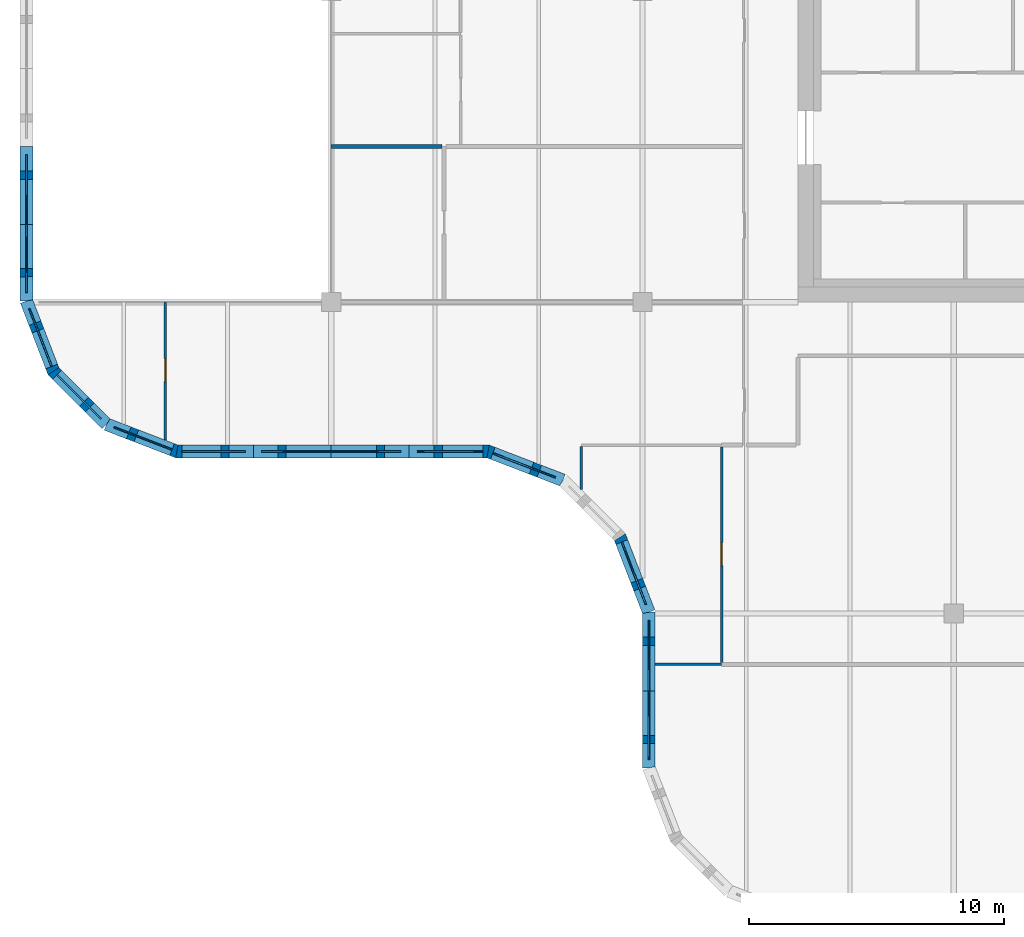
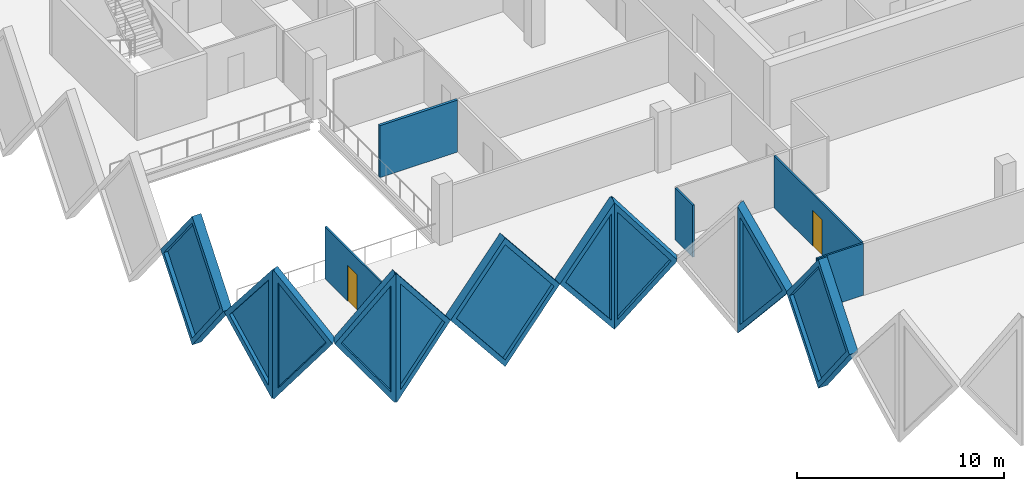
# One storey, part 3 of 11: 15 walls, 10 plates, 2 doors, 12 openings.
"""IFC4 building model written with IfcOpenShell, lengths in metres."""

from ifc_helpers import new_model, si_unit, direction, frame, frame_2d, origin, place, context, subcontext, project, spatial, polyline, rectangle, outline, extrude, faceted_brep, source, transform, mapped, material, layer, layer_set, type_object, element, fill, save


model = new_model("IFC4")

# Units and contexts
model_context = context("Model", 3, precision=1e-05, world=origin(), true_north=direction((0.0, 1.0)))
body_context = subcontext(model_context, "Body", "Model", "MODEL_VIEW")
ifc_project = project(units=[si_unit("LENGTHUNIT", "METRE"), si_unit("AREAUNIT", "SQUARE_METRE"), si_unit("VOLUMEUNIT", "CUBIC_METRE"), si_unit("PLANEANGLEUNIT", "RADIAN"), si_unit("MASSUNIT", "GRAM", prefix="KILO")], contexts=[model_context])

# Site, building, storey
site_placement = place(None, origin())
site = spatial("IfcSite", under=ifc_project, at=site_placement, CompositionType="ELEMENT")
building_placement = place(site_placement, origin())
building = spatial("IfcBuilding", under=site, at=building_placement, Name="Tessera Gate Towers", CompositionType="ELEMENT")
storey_placement = place(building_placement, frame((0.0, 0.0, 170.60009765625)))
storey = spatial("IfcBuildingStorey", under=building, at=storey_placement, Name="L42", CompositionType="ELEMENT", Elevation=170.60009765625)

# Wall
ifc_material_1 = material(Name="Glass", Category="glass")
ifc_layer_1 = layer(ifc_material_1, 0.10009765625)
ifc_layer_set_1 = layer_set([ifc_layer_1], Name="GLAZED PARTITION 100")
wall_type_1 = type_object("IfcWallType", Name="GLAZED PARTITION 100", PredefinedType="PARTITIONING", material=ifc_layer_set_1)
wall_1_placement = place(storey_placement, frame((24.89990234375, 10.199951171875, 0.0), z_axis=(0.0, 0.0, 1.0), x_axis=(1.0, 0.0, 0.0)))
element("IfcWall", 1, at=wall_1_placement, inside=storey, type_object=wall_type_1, Name="T1-L42-PW-006", PredefinedType="PARTITIONING", context=body_context, shape_type="SweptSolid", body=[
    extrude(rectangle(XDim=2.59912109375, YDim=0.10009765625, at=frame_2d((1.299560546875, 0.0))), origin(), (0.0, 0.0, 1.0), 3.06689453125),
])

# Wall, opening, door
wall_2_placement = place(storey_placement, frame((27.5, 10.27587890625, 0.0), z_axis=(0.0, 0.0, 1.0), x_axis=(0.0, 1.0, 0.0)))
wall_2 = element("IfcWall", 2, at=wall_2_placement, inside=storey, type_object=wall_type_1, Name="T1-L42-PW-008", PredefinedType="PARTITIONING", context=body_context, shape_type="SweptSolid", body=[
    extrude(rectangle(XDim=8.4482421875, YDim=0.10009765625, at=frame_2d((4.22412109375, 0.0))), origin(), (0.0, 0.0, 1.0), 3.06689453125),
])
shared_shape_1 = source(origin(), body_context, "Body", "SweptSolid", [
    extrude(rectangle(XDim=0.89990234375, YDim=2.10009765625, at=frame_2d((0.449951171875, 1.050048828125))), frame((0.0, 0.06005859375, 0.0), z_axis=(0.0, -1.0, 0.0), x_axis=(1.0, 0.0, 0.0)), (0.0, 0.0, 1.0), 0.1201171875),
])
opening_1_placement = place(wall_2_placement, frame((3.800048828125, 0.0, 0.0)))
opening_1 = element("IfcOpeningElement", 3, at=opening_1_placement, cuts=wall_2, Name="Opening D690-A15-02", PredefinedType="OPENING", context=body_context, shape_type="MappedRepresentation", body=[
    mapped(shared_shape_1, transform((0.0, 0.0, 0.0), scale=1.0)),
])
ifc_material_2 = material(Name="Glass in aluminium frame", Category="aluminium")
door_type = type_object("IfcDoorType", Name="GLAZED DOOR 900 NOT RATED", OperationType="NOTDEFINED", PredefinedType="DOOR", material=ifc_material_2)
shared_shape_2 = source(origin(), body_context, "Body", "SweptSolid", [
    extrude(rectangle(XDim=0.89990234375, YDim=2.10009765625, at=frame_2d((0.449951171875, 1.050048828125))), frame((0.0, 0.02490234375, 0.0), z_axis=(0.0, -1.0, 0.0), x_axis=(1.0, 0.0, 0.0)), (0.0, 0.0, 1.0), 0.050048828125),
])
door_1_placement = place(opening_1_placement, origin())
door_1 = element("IfcDoor", 4, at=door_1_placement, inside=storey, type_object=door_type, Name="T1-L42-PD-023", OperationType="SINGLE_SWING_LEFT", OverallHeight=2.10009765625, OverallWidth=0.89990234375, PredefinedType="DOOR", context=body_context, shape_type="MappedRepresentation", body=[
    mapped(shared_shape_2, transform((0.0, 0.0, 0.0), scale=1.0)),
])
fill(opening_1, door_1)

# Wall
wall_3_placement = place(storey_placement, frame((22.0, 17.054931640625, 0.0), z_axis=(0.0, 0.0, 1.0), x_axis=(0.0, 1.0, 0.0)))
element("IfcWall", 5, at=wall_3_placement, inside=storey, type_object=wall_type_1, Name="T1-L42-PW-012", PredefinedType="PARTITIONING", context=body_context, shape_type="SweptSolid", body=[
    extrude(rectangle(XDim=1.694091796875, YDim=0.10009765625, at=frame_2d((0.84716796875, 0.0))), origin(), (0.0, 0.0, 1.0), 3.06689453125),
])

# Wall, opening, door
wall_4_placement = place(storey_placement, frame((5.699951171875, 18.990234375, 0.0), z_axis=(0.0, 0.0, 1.0), x_axis=(0.0, 1.0, 0.0)))
wall_4 = element("IfcWall", 6, at=wall_4_placement, inside=storey, type_object=wall_type_1, Name="T1-L42-PW-020", PredefinedType="PARTITIONING", context=body_context, shape_type="SweptSolid", body=[
    extrude(rectangle(XDim=5.40966796875, YDim=0.10009765625, at=frame_2d((2.704833984375, 0.0))), origin(), (0.0, 0.0, 1.0), 3.06689453125),
])
opening_2_placement = place(wall_4_placement, frame((2.300048828125, 0.0, 0.0)))
opening_2 = element("IfcOpeningElement", 7, at=opening_2_placement, cuts=wall_4, Name="Opening D690-A15-01", PredefinedType="OPENING", context=body_context, shape_type="MappedRepresentation", body=[
    mapped(shared_shape_1, transform((0.0, 0.0, 0.0), scale=1.0)),
])
door_2_placement = place(opening_2_placement, origin())
door_2 = element("IfcDoor", 8, at=door_2_placement, inside=storey, type_object=door_type, Name="T1-L42-PD-012", OperationType="SINGLE_SWING_LEFT", OverallHeight=2.10009765625, OverallWidth=0.89990234375, PredefinedType="DOOR", context=body_context, shape_type="MappedRepresentation", body=[
    mapped(shared_shape_2, transform((0.0, 0.0, 0.0), scale=1.0)),
])
fill(opening_2, door_2)

# Wall
ifc_material_3 = material(Name="Gypsum board on steel studs, mineral wool", Category="steel")
ifc_layer_2 = layer(ifc_material_3, 0.14990234375)
ifc_layer_set_2 = layer_set([ifc_layer_2], Name="TENANCY WALL 150")
wall_type_2 = type_object("IfcWallType", Name="TENANCY WALL 150", PredefinedType="PARTITIONING", material=ifc_layer_set_2)
wall_5_placement = place(storey_placement, frame((12.199951171875, 30.5, 0.0), z_axis=(0.0, 0.0, 1.0), x_axis=(1.0, 0.0, 0.0)))
element("IfcWall", 9, at=wall_5_placement, inside=storey, type_object=wall_type_2, Name="T1-L42-PW-028", PredefinedType="PARTITIONING", context=body_context, shape_type="SweptSolid", body=[
    extrude(rectangle(XDim=4.34912109375, YDim=0.14990234375, at=frame_2d((2.174560546875, 0.0))), origin(), (0.0, 0.0, 1.0), 3.06689453125),
])

# Wall, opening, plate
ifc_material_4 = material(Name="Precast concrete C60/75 white", Category="concrete")
ifc_layer_3 = layer(ifc_material_4, 0.5)
ifc_layer_set_3 = layer_set([ifc_layer_3], Name="TS1 tessera")
wall_type_3 = type_object("IfcWallType", Name="TS1 tessera", PredefinedType="SOLIDWALL", material=ifc_layer_set_3)
shared_shape_3 = source(origin(), body_context, "Body", "SweptSolid", [
    extrude(outline(polyline([(3.050048828125, 0.0), (6.10009765625, 3.800048828125), (3.050048828125, 7.599853515625), (0.0, 3.800048828125), (3.050048828125, 0.0)])), frame((0.0, 0.25, 0.0), z_axis=(0.0, -1.0, 0.0), x_axis=(1.0, 0.0, 0.0)), (0.0, 0.0, 1.0), 0.5),
])
wall_6_placement = place(storey_placement, frame((9.14990234375, 18.550048828125, -3.800048828125), z_axis=(0.0, 0.0, 1.0), x_axis=(1.0, 0.0, 0.0)))
wall_6 = element("IfcWall", 10, at=wall_6_placement, inside=storey, type_object=wall_type_3, Name="Precast tessera T1 TS1-0734", PredefinedType="SOLIDWALL", context=body_context, shape_type="MappedRepresentation", body=[
    mapped(shared_shape_3, transform((0.0, 0.0, 0.0), scale=1.0)),
])
shared_shape_4 = source(origin(), body_context, "Body", "SweptSolid", [
    extrude(outline(polyline([(3.050048828125, 0.3994140625), (5.779541015625, 3.800048828125), (3.050048828125, 7.200439453125), (0.320556640625, 3.800048828125), (3.050048828125, 0.3994140625)])), frame((0.0, 0.260009765625, 0.0), z_axis=(0.0, -1.0, 0.0), x_axis=(1.0, 0.0, 0.0)), (0.0, 0.0, 1.0), 0.52001953125),
])
opening_3_placement = place(wall_6_placement, origin())
opening_3 = element("IfcOpeningElement", 11, at=opening_3_placement, cuts=wall_6, Name="Opening T1-PL2-1496", PredefinedType="OPENING", context=body_context, shape_type="MappedRepresentation", body=[
    mapped(shared_shape_4, transform((0.0, 0.0, 0.0), scale=1.0)),
])
ifc_material_5 = material(Name="Low-e laminated glass", Category="glass")
ifc_layer_4 = layer(ifc_material_5, 0.06005859375)
ifc_layer_set_4 = layer_set([ifc_layer_4], Name="PL2 rhombic pane")
plate_type = type_object("IfcPlateType", Name="PL2 rhombic pane", PredefinedType="SHEET", material=ifc_layer_set_4)
shared_shape_5 = source(origin(), body_context, "Body", "SweptSolid", [
    extrude(outline(polyline([(3.050048828125, 0.3994140625), (5.779541015625, 3.800048828125), (3.050048828125, 7.200439453125), (0.320556640625, 3.800048828125), (3.050048828125, 0.3994140625)])), frame((0.0, 0.030029296875, 0.0), z_axis=(0.0, -1.0, 0.0), x_axis=(1.0, 0.0, 0.0)), (0.0, 0.0, 1.0), 0.06005859375),
])
plate_1_placement = place(opening_3_placement, origin())
plate_1 = element("IfcPlate", 12, at=plate_1_placement, inside=storey, type_object=plate_type, Name="Glass pane T1 PL2-1496", PredefinedType="SHEET", context=body_context, shape_type="MappedRepresentation", body=[
    mapped(shared_shape_5, transform((0.0, 0.0, 0.0), scale=1.0)),
])
fill(opening_3, plate_1)

shared_shape_6 = source(origin(), body_context, "Body", "Brep", [
    faceted_brep([(3.050048828125, -0.25, 0.0), (6.053466796875, -0.25, 3.800048828125), (3.050048828125, -0.25, 7.599853515625), (0.0, -0.25, 3.800048828125), (0.0, 0.25, 3.800048828125), (3.050048828125, 0.25, 7.599853515625), (6.0068359375, 0.25, 3.85888671875), (6.0068359375, 0.25, 3.7412109375), (3.050048828125, 0.25, 0.0), (6.053466796875, 0.0, 3.800048828125)], [[[0, 1, 2, 3]], [[4, 5, 6, 7, 8]], [[8, 7, 9, 1, 0]], [[6, 5, 2, 1, 9]], [[5, 4, 3, 2]], [[4, 8, 0, 3]], [[7, 6, 9]]]),
])
wall_7_placement = place(storey_placement, frame((0.25, 30.5, -3.800048828125), z_axis=(0.0, 0.0, 1.0), x_axis=(0.0, -1.0, 0.0)))
wall_7 = element("IfcWall", 13, at=wall_7_placement, inside=storey, type_object=wall_type_3, Name="Precast tessera T1 TS1-0733", PredefinedType="SOLIDWALL", context=body_context, shape_type="MappedRepresentation", body=[
    mapped(shared_shape_6, transform((0.0, 0.0, 0.0), scale=1.0)),
])
shared_shape_7 = source(origin(), body_context, "Body", "SweptSolid", [
    extrude(outline(polyline([(3.048583984375, 0.401123046875), (5.73486328125, 3.800048828125), (3.048583984375, 7.19873046875), (0.320556640625, 3.800048828125), (3.048583984375, 0.401123046875)])), frame((0.0, 0.260009765625, 0.0), z_axis=(0.0, -1.0, 0.0), x_axis=(1.0, 0.0, 0.0)), (0.0, 0.0, 1.0), 0.52001953125),
])
opening_4_placement = place(wall_7_placement, origin())
opening_4 = element("IfcOpeningElement", 14, at=opening_4_placement, cuts=wall_7, Name="Opening T1-PL2-1491", PredefinedType="OPENING", context=body_context, shape_type="MappedRepresentation", body=[
    mapped(shared_shape_7, transform((0.0, 0.0, 0.0), scale=1.0)),
])
shared_shape_8 = source(origin(), body_context, "Body", "SweptSolid", [
    extrude(outline(polyline([(3.048583984375, 0.401123046875), (5.73486328125, 3.800048828125), (3.048583984375, 7.19873046875), (0.320556640625, 3.800048828125), (3.048583984375, 0.401123046875)])), frame((0.0, 0.030029296875, 0.0), z_axis=(0.0, -1.0, 0.0), x_axis=(1.0, 0.0, 0.0)), (0.0, 0.0, 1.0), 0.06005859375),
])
plate_2_placement = place(opening_4_placement, origin())
plate_2 = element("IfcPlate", 15, at=plate_2_placement, inside=storey, type_object=plate_type, Name="Glass pane T1 PL2-1491", PredefinedType="SHEET", context=body_context, shape_type="MappedRepresentation", body=[
    mapped(shared_shape_8, transform((0.0, 0.0, 0.0), scale=1.0)),
])
fill(opening_4, plate_2)

ifc_material_6 = material(Name="Precast concrete C60/75 white", Category="concrete")
ifc_layer_5 = layer(ifc_material_6, 0.5)
ifc_layer_set_5 = layer_set([ifc_layer_5], Name="TS3 corner tessera")
wall_type_4 = type_object("IfcWallType", Name="TS3 corner tessera", PredefinedType="SOLIDWALL", material=ifc_layer_set_5)
shared_shape_9 = source(origin(), body_context, "Body", "Brep", [
    faceted_brep([(0.052978515625, -0.25, 0.0), (2.9970703125, -0.25, 3.800048828125), (0.052978515625, -0.25, 7.599853515625), (0.0, -0.25, 7.53173828125), (0.0, -0.25, 0.068115234375), (0.10595703125, 0.25, 7.531494140625), (2.944091796875, 0.25, 3.8681640625), (2.944091796875, 0.25, 3.73193359375), (0.10595703125, 0.25, 0.068359375), (2.9970703125, 0.000244140625, 3.800048828125), (0.052978515625, 0.0, 0.0), (0.052978515625, 0.0, 7.599853515625)], [[[0, 1, 2, 3, 4]], [[5, 6, 7, 8]], [[8, 7, 9, 1, 0, 10]], [[6, 5, 11, 2, 1, 9]], [[3, 2, 11]], [[10, 0, 4]], [[8, 10, 4, 3, 11, 5]], [[7, 6, 9]]]),
])
wall_8_placement = place(storey_placement, frame((1.2744140625, 21.731201171875, -3.800048828125), z_axis=(0.0, 0.0, 1.0), x_axis=(0.707147509625, -0.707066050402, 0.0)))
wall_8 = element("IfcWall", 16, at=wall_8_placement, inside=storey, type_object=wall_type_4, Name="Precast corner tessera T1 TS3-0976", PredefinedType="SOLIDWALL", context=body_context, shape_type="MappedRepresentation", body=[
    mapped(shared_shape_9, transform((0.0, 0.0, 0.0), scale=1.0)),
])
shared_shape_10 = source(origin(), body_context, "Body", "SweptSolid", [
    extrude(outline(polyline([(0.2529296875, 0.666259765625), (2.680908203125, 3.800048828125), (0.2529296875, 6.93359375), (0.2529296875, 0.666259765625)])), frame((0.0, 0.260009765625, 0.0), z_axis=(0.0, -1.0, 0.0), x_axis=(1.0, 0.0, 0.0)), (0.0, 0.0, 1.0), 0.52001953125),
])
opening_5_placement = place(wall_8_placement, origin())
opening_5 = element("IfcOpeningElement", 17, at=opening_5_placement, cuts=wall_8, Name="Opening T1-PL2-1493", PredefinedType="OPENING", context=body_context, shape_type="MappedRepresentation", body=[
    mapped(shared_shape_10, transform((0.0, 0.0, 0.0), scale=1.0)),
])
shared_shape_11 = source(origin(), body_context, "Body", "SweptSolid", [
    extrude(outline(polyline([(0.2529296875, 0.666259765625), (2.680908203125, 3.800048828125), (0.2529296875, 6.93359375), (0.2529296875, 0.666259765625)])), frame((0.0, 0.030029296875, 0.0), z_axis=(0.0, -1.0, 0.0), x_axis=(1.0, 0.0, 0.0)), (0.0, 0.0, 1.0), 0.06005859375),
])
plate_3_placement = place(opening_5_placement, origin())
plate_3 = element("IfcPlate", 18, at=plate_3_placement, inside=storey, type_object=plate_type, Name="Glass pane T1 PL2-1493", PredefinedType="SHEET", context=body_context, shape_type="MappedRepresentation", body=[
    mapped(shared_shape_11, transform((0.0, 0.0, 0.0), scale=1.0)),
])
fill(opening_5, plate_3)

shared_shape_12 = source(origin(), body_context, "Body", "Brep", [
    faceted_brep([(2.950439453125, -0.25, 0.0), (2.9970703125, -0.25, 0.05908203125), (2.9970703125, -0.25, 7.540771484375), (2.950439453125, -0.25, 7.599853515625), (0.0, -0.25, 3.800048828125), (0.052978515625, 0.25, 3.8681640625), (2.904052734375, 0.25, 7.5400390625), (2.904052734375, 0.25, 0.059814453125), (0.052978515625, 0.25, 3.73193359375), (2.950439453125, 0.00048828125, 0.0), (2.950439453125, 0.00048828125, 7.599853515625), (0.0, 0.0, 3.800048828125)], [[[0, 1, 2, 3, 4]], [[5, 6, 7, 8]], [[1, 0, 9]], [[10, 3, 2]], [[6, 5, 11, 4, 3, 10]], [[8, 7, 9, 0, 4, 11]], [[8, 11, 5]], [[1, 9, 7, 6, 10, 2]]]),
])
wall_9_placement = place(storey_placement, frame((3.393798828125, 19.61181640625, -3.800048828125), z_axis=(0.0, 0.0, 1.0), x_axis=(0.932990326376, -0.359901446078, 0.0)))
wall_9 = element("IfcWall", 19, at=wall_9_placement, inside=storey, type_object=wall_type_4, Name="Precast corner tessera T1 TS3-0977", PredefinedType="SOLIDWALL", context=body_context, shape_type="MappedRepresentation", body=[
    mapped(shared_shape_12, transform((0.0, 0.0, 0.0), scale=1.0)),
])
shared_shape_13 = source(origin(), body_context, "Body", "SweptSolid", [
    extrude(outline(polyline([(2.75048828125, 6.934814453125), (0.31640625, 3.800048828125), (2.75048828125, 0.665283203125), (2.75048828125, 6.934814453125)])), frame((0.0, 0.260009765625, 0.0), z_axis=(0.0, -1.0, 0.0), x_axis=(1.0, 0.0, 0.0)), (0.0, 0.0, 1.0), 0.52001953125),
])
opening_6_placement = place(wall_9_placement, origin())
opening_6 = element("IfcOpeningElement", 20, at=opening_6_placement, cuts=wall_9, Name="Opening T1-PL2-1494", PredefinedType="OPENING", context=body_context, shape_type="MappedRepresentation", body=[
    mapped(shared_shape_13, transform((0.0, 0.0, 0.0), scale=1.0)),
])
shared_shape_14 = source(origin(), body_context, "Body", "SweptSolid", [
    extrude(outline(polyline([(2.75048828125, 6.934814453125), (0.31640625, 3.800048828125), (2.75048828125, 0.665283203125), (2.75048828125, 6.934814453125)])), frame((0.0, 0.030029296875, 0.0), z_axis=(0.0, -1.0, 0.0), x_axis=(1.0, 0.0, 0.0)), (0.0, 0.0, 1.0), 0.06005859375),
])
plate_4_placement = place(opening_6_placement, origin())
plate_4 = element("IfcPlate", 21, at=plate_4_placement, inside=storey, type_object=plate_type, Name="Glass pane T1 PL2-1494", PredefinedType="SHEET", context=body_context, shape_type="MappedRepresentation", body=[
    mapped(shared_shape_14, transform((0.0, 0.0, 0.0), scale=1.0)),
])
fill(opening_6, plate_4)

shared_shape_15 = source(origin(), body_context, "Body", "Brep", [
    faceted_brep([(0.046630859375, -0.25, 0.0), (3.050048828125, -0.25, 3.800048828125), (0.046630859375, -0.25, 7.599853515625), (0.0, -0.25, 7.539794921875), (0.0, -0.25, 0.06005859375), (0.09326171875, 0.25, 7.541015625), (3.050048828125, 0.25, 3.800048828125), (0.09326171875, 0.25, 0.058837890625), (0.046630859375, 0.0, 0.0), (0.046630859375, 0.0, 7.599853515625)], [[[0, 1, 2, 3, 4]], [[5, 6, 7]], [[7, 6, 1, 0, 8]], [[6, 5, 9, 2, 1]], [[3, 2, 9]], [[8, 0, 4]], [[7, 8, 4, 3, 9, 5]]]),
])
wall_10_placement = place(storey_placement, frame((6.099853515625, 18.550048828125, -3.800048828125), z_axis=(0.0, 0.0, 1.0), x_axis=(1.0, 0.0, 0.0)))
wall_10 = element("IfcWall", 22, at=wall_10_placement, inside=storey, type_object=wall_type_4, Name="Precast corner tessera T1 TS3-0978", PredefinedType="SOLIDWALL", context=body_context, shape_type="MappedRepresentation", body=[
    mapped(shared_shape_15, transform((0.0, 0.0, 0.0), scale=1.0)),
])
shared_shape_16 = source(origin(), body_context, "Body", "SweptSolid", [
    extrude(outline(polyline([(0.24658203125, 0.65625), (2.7314453125, 3.800048828125), (0.24658203125, 6.94384765625), (0.24658203125, 0.65625)])), frame((0.0, 0.260009765625, 0.0), z_axis=(0.0, -1.0, 0.0), x_axis=(1.0, 0.0, 0.0)), (0.0, 0.0, 1.0), 0.52001953125),
])
opening_7_placement = place(wall_10_placement, origin())
opening_7 = element("IfcOpeningElement", 23, at=opening_7_placement, cuts=wall_10, Name="Opening T1-PL2-1495", PredefinedType="OPENING", context=body_context, shape_type="MappedRepresentation", body=[
    mapped(shared_shape_16, transform((0.0, 0.0, 0.0), scale=1.0)),
])
shared_shape_17 = source(origin(), body_context, "Body", "SweptSolid", [
    extrude(outline(polyline([(0.24658203125, 0.65625), (2.7314453125, 3.800048828125), (0.24658203125, 6.94384765625), (0.24658203125, 0.65625)])), frame((0.0, 0.030029296875, 0.0), z_axis=(0.0, -1.0, 0.0), x_axis=(1.0, 0.0, 0.0)), (0.0, 0.0, 1.0), 0.06005859375),
])
plate_5_placement = place(opening_7_placement, origin())
plate_5 = element("IfcPlate", 24, at=plate_5_placement, inside=storey, type_object=plate_type, Name="Glass pane T1 PL2-1495", PredefinedType="SHEET", context=body_context, shape_type="MappedRepresentation", body=[
    mapped(shared_shape_17, transform((0.0, 0.0, 0.0), scale=1.0)),
])
fill(opening_7, plate_5)

shared_shape_18 = source(origin(), body_context, "Body", "Brep", [
    faceted_brep([(2.950439453125, -0.25, 0.0), (3.00341796875, -0.25, 0.068359375), (3.00341796875, -0.25, 7.531494140625), (2.950439453125, -0.25, 7.599853515625), (0.0, -0.25, 3.800048828125), (0.046630859375, 0.25, 3.860107421875), (2.897705078125, 0.25, 7.53173828125), (2.897705078125, 0.25, 0.068115234375), (0.046630859375, 0.25, 3.739990234375), (2.950439453125, 0.00048828125, 0.0), (2.950439453125, 0.00048828125, 7.599853515625), (0.0, 0.0, 3.800048828125)], [[[0, 1, 2, 3, 4]], [[5, 6, 7, 8]], [[1, 0, 9]], [[10, 3, 2]], [[6, 5, 11, 4, 3, 10]], [[8, 7, 9, 0, 4, 11]], [[8, 11, 5]], [[1, 9, 7, 6, 10, 2]]]),
])
wall_11_placement = place(storey_placement, frame((0.25, 24.446533203125, -3.800048828125), z_axis=(0.0, 0.0, 1.0), x_axis=(0.35992665181, -0.932980602862, 0.0)))
wall_11 = element("IfcWall", 25, at=wall_11_placement, inside=storey, type_object=wall_type_4, Name="Precast corner tessera T1 TS3-0975", PredefinedType="SOLIDWALL", context=body_context, shape_type="MappedRepresentation", body=[
    mapped(shared_shape_18, transform((0.0, 0.0, 0.0), scale=1.0)),
])
opening_8_placement = place(wall_11_placement, origin())
opening_8 = element("IfcOpeningElement", 26, at=opening_8_placement, cuts=wall_11, Name="Opening T1-PL2-1492", PredefinedType="OPENING", context=body_context, shape_type="MappedRepresentation", body=[
    mapped(shared_shape_13, transform((0.0, 0.0, 0.0), scale=1.0)),
])
plate_6_placement = place(opening_8_placement, origin())
plate_6 = element("IfcPlate", 27, at=plate_6_placement, inside=storey, type_object=plate_type, Name="Glass pane T1 PL2-1492", PredefinedType="SHEET", context=body_context, shape_type="MappedRepresentation", body=[
    mapped(shared_shape_14, transform((0.0, 0.0, 0.0), scale=1.0)),
])
fill(opening_8, plate_6)

shared_shape_19 = source(origin(), body_context, "Body", "Brep", [
    faceted_brep([(3.050048828125, -0.25, 7.54296875), (0.0, -0.25, 3.800048828125), (3.050048828125, -0.25, 0.056884765625), (0.0, 0.25, 3.800048828125), (3.096435546875, 0.25, 7.599853515625), (3.14306640625, 0.25, 7.54345703125), (3.14306640625, 0.25, 0.056396484375), (3.096435546875, 0.25, 0.0), (3.096435546875, -0.00048828125, 0.0), (3.096435546875, -0.00048828125, 7.599853515625)], [[[0, 1, 2]], [[3, 4, 5, 6, 7]], [[7, 6, 8]], [[5, 4, 9]], [[4, 3, 1, 0, 9]], [[3, 7, 8, 2, 1]], [[2, 8, 6, 5, 9, 0]]]),
])
wall_12_placement = place(storey_placement, frame((15.25, 18.550048828125, -3.800048828125), z_axis=(0.0, 0.0, 1.0), x_axis=(1.0, 0.0, 0.0)))
wall_12 = element("IfcWall", 28, at=wall_12_placement, inside=storey, type_object=wall_type_4, Name="Precast corner tessera T1 TS3-0979", PredefinedType="SOLIDWALL", context=body_context, shape_type="MappedRepresentation", body=[
    mapped(shared_shape_19, transform((0.0, 0.0, 0.0), scale=1.0)),
])
shared_shape_20 = source(origin(), body_context, "Body", "SweptSolid", [
    extrude(outline(polyline([(2.896484375, 6.958740234375), (0.322509765625, 3.800048828125), (2.896484375, 0.64111328125), (2.896484375, 6.958740234375)])), frame((0.0, 0.260009765625, 0.0), z_axis=(0.0, -1.0, 0.0), x_axis=(1.0, 0.0, 0.0)), (0.0, 0.0, 1.0), 0.52001953125),
])
opening_9_placement = place(wall_12_placement, origin())
opening_9 = element("IfcOpeningElement", 29, at=opening_9_placement, cuts=wall_12, Name="Opening T1-PL2-1497", PredefinedType="OPENING", context=body_context, shape_type="MappedRepresentation", body=[
    mapped(shared_shape_20, transform((0.0, 0.0, 0.0), scale=1.0)),
])
shared_shape_21 = source(origin(), body_context, "Body", "SweptSolid", [
    extrude(outline(polyline([(2.896484375, 6.958740234375), (0.322509765625, 3.800048828125), (2.896484375, 0.64111328125), (2.896484375, 6.958740234375)])), frame((0.0, 0.030029296875, 0.0), z_axis=(0.0, -1.0, 0.0), x_axis=(1.0, 0.0, 0.0)), (0.0, 0.0, 1.0), 0.06005859375),
])
plate_7_placement = place(opening_9_placement, origin())
plate_7 = element("IfcPlate", 30, at=plate_7_placement, inside=storey, type_object=plate_type, Name="Glass pane T1 PL2-1497", PredefinedType="SHEET", context=body_context, shape_type="MappedRepresentation", body=[
    mapped(shared_shape_21, transform((0.0, 0.0, 0.0), scale=1.0)),
])
fill(opening_9, plate_7)

shared_shape_22 = source(origin(), body_context, "Body", "Brep", [
    faceted_brep([(0.09326171875, -0.25, 0.05615234375), (3.14306640625, -0.25, 3.736328125), (3.14306640625, -0.25, 3.86376953125), (0.09326171875, -0.25, 7.543701171875), (0.0, 0.25, 7.542724609375), (0.046630859375, 0.25, 7.599853515625), (3.196044921875, 0.25, 3.800048828125), (0.046630859375, 0.25, 0.0), (0.0, 0.25, 0.05712890625), (3.196044921875, -0.000244140625, 3.800048828125), (0.046630859375, 0.0, 0.0), (0.046630859375, 0.0, 7.599853515625)], [[[0, 1, 2, 3]], [[4, 5, 6, 7, 8]], [[7, 6, 9, 1, 0, 10]], [[6, 5, 11, 3, 2, 9]], [[5, 4, 11]], [[8, 7, 10]], [[8, 10, 0, 3, 11, 4]], [[1, 9, 2]]]),
])
wall_13_placement = place(storey_placement, frame((18.302978515625, 18.56689453125, -3.800048828125), z_axis=(0.0, 0.0, 1.0), x_axis=(0.932978940178, -0.359930961693, 0.0)))
wall_13 = element("IfcWall", 31, at=wall_13_placement, inside=storey, type_object=wall_type_4, Name="Precast corner tessera T1 TS3-0980", PredefinedType="SOLIDWALL", context=body_context, shape_type="MappedRepresentation", body=[
    mapped(shared_shape_22, transform((0.0, 0.0, 0.0), scale=1.0)),
])
shared_shape_23 = source(origin(), body_context, "Body", "SweptSolid", [
    extrude(outline(polyline([(0.24658203125, 0.633056640625), (2.871337890625, 3.800048828125), (0.24658203125, 6.966796875), (0.24658203125, 0.633056640625)])), frame((0.0, 0.260009765625, 0.0), z_axis=(0.0, -1.0, 0.0), x_axis=(1.0, 0.0, 0.0)), (0.0, 0.0, 1.0), 0.52001953125),
])
opening_10_placement = place(wall_13_placement, origin())
opening_10 = element("IfcOpeningElement", 32, at=opening_10_placement, cuts=wall_13, Name="Opening T1-PL2-1498", PredefinedType="OPENING", context=body_context, shape_type="MappedRepresentation", body=[
    mapped(shared_shape_23, transform((0.0, 0.0, 0.0), scale=1.0)),
])
shared_shape_24 = source(origin(), body_context, "Body", "SweptSolid", [
    extrude(outline(polyline([(0.24658203125, 0.633056640625), (2.871337890625, 3.800048828125), (0.24658203125, 6.966796875), (0.24658203125, 0.633056640625)])), frame((0.0, 0.030029296875, 0.0), z_axis=(0.0, -1.0, 0.0), x_axis=(1.0, 0.0, 0.0)), (0.0, 0.0, 1.0), 0.06005859375),
])
plate_8_placement = place(opening_10_placement, origin())
plate_8 = element("IfcPlate", 33, at=plate_8_placement, inside=storey, type_object=plate_type, Name="Glass pane T1 PL2-1498", PredefinedType="SHEET", context=body_context, shape_type="MappedRepresentation", body=[
    mapped(shared_shape_24, transform((0.0, 0.0, 0.0), scale=1.0)),
])
fill(opening_10, plate_8)

shared_shape_25 = source(origin(), body_context, "Body", "Brep", [
    faceted_brep([(0.10595703125, -0.25, 0.06396484375), (3.156005859375, -0.25, 3.743896484375), (3.156005859375, -0.25, 3.856201171875), (0.10595703125, -0.25, 7.535888671875), (0.0, 0.25, 7.5361328125), (0.052978515625, 0.25, 7.599853515625), (3.202392578125, 0.25, 3.800048828125), (0.052978515625, 0.25, 0.0), (0.0, 0.25, 0.063720703125), (3.202392578125, -0.000244140625, 3.800048828125), (0.052978515625, 0.0, 0.0), (0.052978515625, 0.0, 7.599853515625)], [[[0, 1, 2, 3]], [[4, 5, 6, 7, 8]], [[7, 6, 9, 1, 0, 10]], [[6, 5, 11, 3, 2, 9]], [[5, 4, 11]], [[8, 7, 10]], [[8, 10, 0, 3, 11, 4]], [[1, 9, 2]]]),
])
wall_14_placement = place(storey_placement, frame((23.497314453125, 15.234375, -3.800048828125), z_axis=(0.0, 0.0, 1.0), x_axis=(0.359913782069, -0.932985567668, 0.0)))
wall_14 = element("IfcWall", 34, at=wall_14_placement, inside=storey, type_object=wall_type_4, Name="Precast corner tessera T1 TS3-0982", PredefinedType="SOLIDWALL", context=body_context, shape_type="MappedRepresentation", body=[
    mapped(shared_shape_25, transform((0.0, 0.0, 0.0), scale=1.0)),
])
shared_shape_26 = source(origin(), body_context, "Body", "SweptSolid", [
    extrude(outline(polyline([(0.2529296875, 0.633056640625), (2.877685546875, 3.800048828125), (0.2529296875, 6.966796875), (0.2529296875, 0.633056640625)])), frame((0.0, 0.260009765625, 0.0), z_axis=(0.0, -1.0, 0.0), x_axis=(1.0, 0.0, 0.0)), (0.0, 0.0, 1.0), 0.52001953125),
])
opening_11_placement = place(wall_14_placement, origin())
opening_11 = element("IfcOpeningElement", 35, at=opening_11_placement, cuts=wall_14, Name="Opening T1-PL2-1500", PredefinedType="OPENING", context=body_context, shape_type="MappedRepresentation", body=[
    mapped(shared_shape_26, transform((0.0, 0.0, 0.0), scale=1.0)),
])
shared_shape_27 = source(origin(), body_context, "Body", "SweptSolid", [
    extrude(outline(polyline([(0.2529296875, 0.633056640625), (2.877685546875, 3.800048828125), (0.2529296875, 6.966796875), (0.2529296875, 0.633056640625)])), frame((0.0, 0.030029296875, 0.0), z_axis=(0.0, -1.0, 0.0), x_axis=(1.0, 0.0, 0.0)), (0.0, 0.0, 1.0), 0.06005859375),
])
plate_9_placement = place(opening_11_placement, origin())
plate_9 = element("IfcPlate", 36, at=plate_9_placement, inside=storey, type_object=plate_type, Name="Glass pane T1 PL2-1500", PredefinedType="SHEET", context=body_context, shape_type="MappedRepresentation", body=[
    mapped(shared_shape_27, transform((0.0, 0.0, 0.0), scale=1.0)),
])
fill(opening_11, plate_9)

shared_shape_28 = source(origin(), body_context, "Body", "Brep", [
    faceted_brep([(3.096435546875, -0.25, 0.0), (6.10009765625, -0.25, 3.800048828125), (3.096435546875, -0.25, 7.599853515625), (0.046630859375, -0.25, 3.857177734375), (0.046630859375, -0.25, 3.742919921875), (0.0, 0.25, 3.800048828125), (3.096435546875, 0.25, 7.599853515625), (6.053466796875, 0.25, 3.859130859375), (6.053466796875, 0.25, 3.740966796875), (3.096435546875, 0.25, 0.0), (6.10009765625, -0.00048828125, 3.800048828125), (0.0, 0.0, 3.800048828125)], [[[0, 1, 2, 3, 4]], [[5, 6, 7, 8, 9]], [[9, 8, 10, 1, 0]], [[7, 6, 2, 1, 10]], [[6, 5, 11, 3, 2]], [[5, 9, 0, 4, 11]], [[4, 3, 11]], [[8, 7, 10]]]),
])
wall_15_placement = place(storey_placement, frame((24.64990234375, 12.24658203125, -3.800048828125), z_axis=(0.0, 0.0, 1.0), x_axis=(0.0, -1.0, 0.0)))
wall_15 = element("IfcWall", 37, at=wall_15_placement, inside=storey, type_object=wall_type_3, Name="Precast tessera T1 TS1-0735", PredefinedType="SOLIDWALL", context=body_context, shape_type="MappedRepresentation", body=[
    mapped(shared_shape_28, transform((0.0, 0.0, 0.0), scale=1.0)),
])
shared_shape_29 = source(origin(), body_context, "Body", "SweptSolid", [
    extrude(outline(polyline([(3.093505859375, 0.3994140625), (5.78125, 3.800048828125), (3.093505859375, 7.200439453125), (0.322509765625, 3.800048828125), (3.093505859375, 0.3994140625)])), frame((0.0, 0.260009765625, 0.0), z_axis=(0.0, -1.0, 0.0), x_axis=(1.0, 0.0, 0.0)), (0.0, 0.0, 1.0), 0.52001953125),
])
opening_12_placement = place(wall_15_placement, origin())
opening_12 = element("IfcOpeningElement", 38, at=opening_12_placement, cuts=wall_15, Name="Opening T1-PL2-1501", PredefinedType="OPENING", context=body_context, shape_type="MappedRepresentation", body=[
    mapped(shared_shape_29, transform((0.0, 0.0, 0.0), scale=1.0)),
])
shared_shape_30 = source(origin(), body_context, "Body", "SweptSolid", [
    extrude(outline(polyline([(3.093505859375, 0.3994140625), (5.78125, 3.800048828125), (3.093505859375, 7.200439453125), (0.322509765625, 3.800048828125), (3.093505859375, 0.3994140625)])), frame((0.0, 0.030029296875, 0.0), z_axis=(0.0, -1.0, 0.0), x_axis=(1.0, 0.0, 0.0)), (0.0, 0.0, 1.0), 0.06005859375),
])
plate_10_placement = place(opening_12_placement, origin())
plate_10 = element("IfcPlate", 39, at=plate_10_placement, inside=storey, type_object=plate_type, Name="Glass pane T1 PL2-1501", PredefinedType="SHEET", context=body_context, shape_type="MappedRepresentation", body=[
    mapped(shared_shape_30, transform((0.0, 0.0, 0.0), scale=1.0)),
])
fill(opening_12, plate_10)

save(model, "model.ifc")
